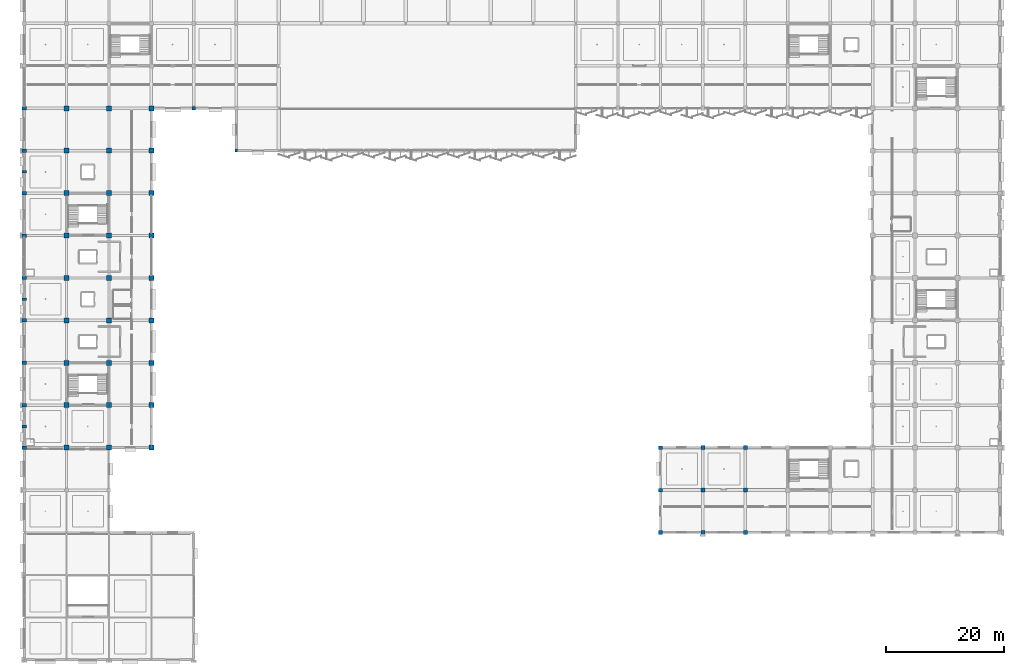
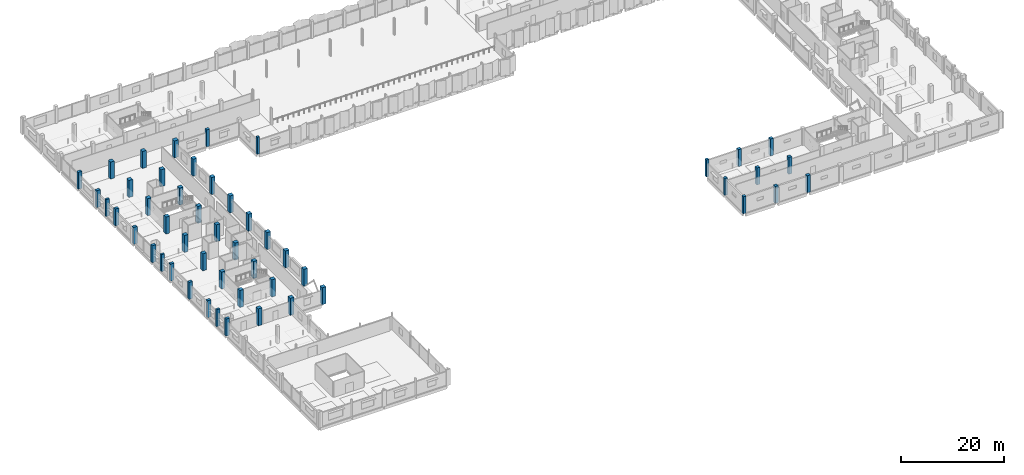
# One storey, part 5 of 107: 50 columns.
"""IFC4 building model written with IfcOpenShell, lengths in metres."""

from ifc_helpers import new_model, si_unit, direction, frame, origin, origin_2d, place, context, subcontext, project, spatial, rectangle, extrude, material, material_profile, profile_set, type_object, element, save


model = new_model("IFC4")

# Units and contexts
model_context = context("Model", 3, precision=1e-05, world=origin(), true_north=direction((0.0, 1.0)))
body_context = subcontext(model_context, "Body", "Model", "MODEL_VIEW")
ifc_project = project(units=[si_unit("LENGTHUNIT", "METRE"), si_unit("AREAUNIT", "SQUARE_METRE"), si_unit("VOLUMEUNIT", "CUBIC_METRE"), si_unit("PLANEANGLEUNIT", "RADIAN"), si_unit("MASSUNIT", "GRAM", prefix="KILO")], contexts=[model_context])

# Site, building, storey
site_placement = place(None, origin())
site = spatial("IfcSite", under=ifc_project, at=site_placement, CompositionType="ELEMENT")
building_placement = place(site_placement, origin())
building = spatial("IfcBuilding", under=site, at=building_placement, Name="Kangsadwip Square Police Headquarters", CompositionType="ELEMENT")
storey_placement = place(building_placement, frame((0.0, 0.0, 5.39990234375)))
storey = spatial("IfcBuildingStorey", under=building, at=storey_placement, Name="L01", CompositionType="ELEMENT", Elevation=5.39990234375)

# Columns
ifc_material_1 = material(Name="Concrete M35 (35 MPa)", Category="concrete")
ifc_material_profile_1 = material_profile(ifc_material_1, rectangle(XDim=0.5, YDim=0.5, at=origin_2d()), Name="RC COL 500X500")
ifc_profile_set_1 = profile_set([ifc_material_profile_1], Name="Concrete M35 (35 MPa)")
column_type_1 = type_object("IfcColumnType", Name="RcCol500x500", PredefinedType="COLUMN", material=ifc_profile_set_1)
column_1_placement = place(storey_placement, frame((36.0, 86.39990234375, 0.0), z_axis=(0.0, 0.0, 1.0), x_axis=(1.0, 0.0, 0.0)))
element("IfcColumn", 1, at=column_1_placement, inside=storey, type_object=column_type_1, Name="Column COL-L01-05-12", PredefinedType="COLUMN", context=body_context, shape_type="SweptSolid", body=[
    extrude(rectangle(XDim=0.5, YDim=0.5, at=origin_2d()), origin(), (0.0, 0.0, 1.0), 4.050048828125),
])
ifc_material_2 = material(Name="Concrete M35 (35 MPa)", Category="concrete")
ifc_material_profile_2 = material_profile(ifc_material_2, rectangle(XDim=0.60009765625, YDim=0.60009765625, at=origin_2d()), Name="RC COL 600X600")
ifc_profile_set_2 = profile_set([ifc_material_profile_2], Name="Concrete M35 (35 MPa)")
column_type_2 = type_object("IfcColumnType", Name="RcCol600x600", PredefinedType="COLUMN", material=ifc_profile_set_2)
for number, where, z_axis, x_axis, name in (
    (2, (108.0, 21.60009765625, 0.0), (0.0, 0.0, 1.0), (1.0, 0.0, 0.0), "Column COL-L01-15-03"),
    (3, (108.0, 28.800048828125, 0.0), (0.0, 0.0, 1.0), (1.0, 0.0, 0.0), "Column COL-L01-15-04"),
    (4, (108.0, 36.0, 0.0), (0.0, 0.0, 1.0), (1.0, 0.0, 0.0), "Column COL-L01-15-05"),
):
    element("IfcColumn", number, at=place(storey_placement, frame(where, z_axis=z_axis, x_axis=x_axis)), inside=storey, type_object=column_type_2, Name=name, PredefinedType="COLUMN", context=body_context, shape_type="SweptSolid", body=[
        extrude(rectangle(XDim=0.60009765625, YDim=0.60009765625, at=origin_2d()), origin(), (0.0, 0.0, 1.0), 4.050048828125),
    ])
ifc_material_3 = material(Name="Concrete M40 (40 MPa)", Category="concrete")
ifc_material_profile_3 = material_profile(ifc_material_3, rectangle(XDim=0.64990234375, YDim=0.64990234375, at=origin_2d()), Name="RC COL 650X650")
ifc_profile_set_3 = profile_set([ifc_material_profile_3], Name="Concrete M40 (40 MPa)")
column_type_3 = type_object("IfcColumnType", Name="RcCol650x650", PredefinedType="COLUMN", material=ifc_profile_set_3)
column_2_placement = place(storey_placement, frame((28.800048828125, 93.60009765625, 0.0), z_axis=(0.0, 0.0, 1.0), x_axis=(1.0, 0.0, 0.0)))
element("IfcColumn", 5, at=column_2_placement, inside=storey, type_object=column_type_3, Name="Column COL-L01-04-13", PredefinedType="COLUMN", context=body_context, shape_type="SweptSolid", body=[
    extrude(rectangle(XDim=0.64990234375, YDim=0.64990234375, at=origin_2d()), origin(), (0.0, 0.0, 1.0), 4.050048828125),
])
ifc_material_4 = material(Name="Concrete M40 (40 MPa)", Category="concrete")
ifc_material_profile_4 = material_profile(ifc_material_4, rectangle(XDim=0.699951171875, YDim=0.699951171875, at=origin_2d()), Name="RC COL 700X700")
ifc_profile_set_4 = profile_set([ifc_material_profile_4], Name="Concrete M40 (40 MPa)")
column_type_4 = type_object("IfcColumnType", Name="RcCol700x700", PredefinedType="COLUMN", material=ifc_profile_set_4)
for number, where, z_axis, x_axis, name in (
    (6, (115.199951171875, 21.60009765625, 0.0), (0.0, 0.0, 1.0), (1.0, 0.0, 0.0), "Column COL-L01-16-03"),
    (7, (115.199951171875, 28.800048828125, 0.0), (0.0, 0.0, 1.0), (1.0, 0.0, 0.0), "Column COL-L01-16-04"),
    (8, (115.199951171875, 36.0, 0.0), (0.0, 0.0, 1.0), (1.0, 0.0, 0.0), "Column COL-L01-16-05"),
    (9, (122.39990234375, 21.60009765625, 0.0), (0.0, 0.0, 1.0), (1.0, 0.0, 0.0), "Column COL-L01-17-03"),
    (10, (122.39990234375, 28.800048828125, 0.0), (0.0, 0.0, 1.0), (1.0, 0.0, 0.0), "Column COL-L01-17-04"),
    (11, (122.39990234375, 36.0, 0.0), (0.0, 0.0, 1.0), (1.0, 0.0, 0.0), "Column COL-L01-17-05"),
):
    element("IfcColumn", number, at=place(storey_placement, frame(where, z_axis=z_axis, x_axis=x_axis)), inside=storey, type_object=column_type_4, Name=name, PredefinedType="COLUMN", context=body_context, shape_type="SweptSolid", body=[
        extrude(rectangle(XDim=0.699951171875, YDim=0.699951171875, at=origin_2d()), origin(), (0.0, 0.0, 1.0), 4.050048828125),
    ])
ifc_material_5 = material(Name="Concrete M40 (40 MPa)", Category="concrete")
ifc_material_profile_5 = material_profile(ifc_material_5, rectangle(XDim=0.60009765625, YDim=0.800048828125, at=origin_2d()), Name="RC COL 800X600")
ifc_profile_set_5 = profile_set([ifc_material_profile_5], Name="Concrete M40 (40 MPa)")
column_type_5 = type_object("IfcColumnType", Name="RcCol800x600", PredefinedType="COLUMN", material=ifc_profile_set_5)
for number, where, z_axis, x_axis, name in (
    (12, (0.0, 36.0, 0.0), (0.0, 0.0, 1.0), (0.0, 1.0, 0.0), "Column COL-L01-00-05"),
    (13, (0.0, 43.199951171875, 0.0), (0.0, 0.0, 1.0), (0.0, 1.0, 0.0), "Column COL-L01-00-06"),
    (14, (0.0, 50.39990234375, 0.0), (0.0, 0.0, 1.0), (0.0, 1.0, 0.0), "Column COL-L01-00-07"),
    (15, (0.0, 57.60009765625, 0.0), (0.0, 0.0, 1.0), (0.0, 1.0, 0.0), "Column COL-L01-00-08"),
    (16, (0.0, 64.800048828125, 0.0), (0.0, 0.0, 1.0), (0.0, 1.0, 0.0), "Column COL-L01-00-09"),
    (17, (0.0, 72.0, 0.0), (0.0, 0.0, 1.0), (0.0, 1.0, 0.0), "Column COL-L01-00-10"),
    (18, (0.0, 79.199951171875, 0.0), (0.0, 0.0, 1.0), (0.0, 1.0, 0.0), "Column COL-L01-00-11"),
    (19, (0.0, 86.39990234375, 0.0), (0.0, 0.0, 1.0), (0.0, 1.0, 0.0), "Column COL-L01-00-12"),
    (20, (0.0, 93.60009765625, 0.0), (0.0, 0.0, 1.0), (0.0, 1.0, 0.0), "Column COL-L01-00-13"),
):
    element("IfcColumn", number, at=place(storey_placement, frame(where, z_axis=z_axis, x_axis=x_axis)), inside=storey, type_object=column_type_5, Name=name, PredefinedType="COLUMN", context=body_context, shape_type="SweptSolid", body=[
        extrude(rectangle(XDim=0.60009765625, YDim=0.800048828125, at=origin_2d()), origin(), (0.0, 0.0, 1.0), 4.050048828125),
    ])
ifc_material_6 = material(Name="Concrete M40 (40 MPa)", Category="concrete")
ifc_material_profile_6 = material_profile(ifc_material_6, rectangle(XDim=0.85009765625, YDim=0.85009765625, at=origin_2d()), Name="RC COL 850X850")
ifc_profile_set_6 = profile_set([ifc_material_profile_6], Name="Concrete M40 (40 MPa)")
column_type_6 = type_object("IfcColumnType", Name="RcCol850x850", PredefinedType="COLUMN", material=ifc_profile_set_6)
for number, where, z_axis, x_axis, name in (
    (21, (7.199951171875, 36.0, 0.0), (0.0, 0.0, 1.0), (1.0, 0.0, 0.0), "Column COL-L01-01-05"),
    (22, (7.199951171875, 43.199951171875, 0.0), (0.0, 0.0, 1.0), (1.0, 0.0, 0.0), "Column COL-L01-01-06"),
    (23, (7.199951171875, 50.39990234375, 0.0), (0.0, 0.0, 1.0), (1.0, 0.0, 0.0), "Column COL-L01-01-07"),
    (24, (7.199951171875, 57.60009765625, 0.0), (0.0, 0.0, 1.0), (1.0, 0.0, 0.0), "Column COL-L01-01-08"),
    (25, (7.199951171875, 64.800048828125, 0.0), (0.0, 0.0, 1.0), (1.0, 0.0, 0.0), "Column COL-L01-01-09"),
    (26, (7.199951171875, 72.0, 0.0), (0.0, 0.0, 1.0), (1.0, 0.0, 0.0), "Column COL-L01-01-10"),
    (27, (7.199951171875, 79.199951171875, 0.0), (0.0, 0.0, 1.0), (1.0, 0.0, 0.0), "Column COL-L01-01-11"),
    (28, (7.199951171875, 86.39990234375, 0.0), (0.0, 0.0, 1.0), (1.0, 0.0, 0.0), "Column COL-L01-01-12"),
    (29, (7.199951171875, 93.60009765625, 0.0), (0.0, 0.0, 1.0), (1.0, 0.0, 0.0), "Column COL-L01-01-13"),
    (30, (14.39990234375, 36.0, 0.0), (0.0, 0.0, 1.0), (1.0, 0.0, 0.0), "Column COL-L01-02-05"),
    (31, (14.39990234375, 43.199951171875, 0.0), (0.0, 0.0, 1.0), (1.0, 0.0, 0.0), "Column COL-L01-02-06"),
    (32, (14.39990234375, 50.39990234375, 0.0), (0.0, 0.0, 1.0), (1.0, 0.0, 0.0), "Column COL-L01-02-07"),
    (33, (14.39990234375, 57.60009765625, 0.0), (0.0, 0.0, 1.0), (1.0, 0.0, 0.0), "Column COL-L01-02-08"),
    (34, (14.39990234375, 64.800048828125, 0.0), (0.0, 0.0, 1.0), (1.0, 0.0, 0.0), "Column COL-L01-02-09"),
    (35, (14.39990234375, 72.0, 0.0), (0.0, 0.0, 1.0), (1.0, 0.0, 0.0), "Column COL-L01-02-10"),
    (36, (14.39990234375, 79.199951171875, 0.0), (0.0, 0.0, 1.0), (1.0, 0.0, 0.0), "Column COL-L01-02-11"),
    (37, (14.39990234375, 86.39990234375, 0.0), (0.0, 0.0, 1.0), (1.0, 0.0, 0.0), "Column COL-L01-02-12"),
    (38, (14.39990234375, 93.60009765625, 0.0), (0.0, 0.0, 1.0), (1.0, 0.0, 0.0), "Column COL-L01-02-13"),
    (39, (21.60009765625, 36.0, 0.0), (0.0, 0.0, 1.0), (1.0, 0.0, 0.0), "Column COL-L01-03-05"),
    (40, (21.60009765625, 43.199951171875, 0.0), (0.0, 0.0, 1.0), (1.0, 0.0, 0.0), "Column COL-L01-03-06"),
    (41, (21.60009765625, 50.39990234375, 0.0), (0.0, 0.0, 1.0), (1.0, 0.0, 0.0), "Column COL-L01-03-07"),
    (42, (21.60009765625, 57.60009765625, 0.0), (0.0, 0.0, 1.0), (1.0, 0.0, 0.0), "Column COL-L01-03-08"),
    (43, (21.60009765625, 64.800048828125, 0.0), (0.0, 0.0, 1.0), (1.0, 0.0, 0.0), "Column COL-L01-03-09"),
    (44, (21.60009765625, 72.0, 0.0), (0.0, 0.0, 1.0), (1.0, 0.0, 0.0), "Column COL-L01-03-10"),
    (45, (21.60009765625, 79.199951171875, 0.0), (0.0, 0.0, 1.0), (1.0, 0.0, 0.0), "Column COL-L01-03-11"),
    (46, (21.60009765625, 86.39990234375, 0.0), (0.0, 0.0, 1.0), (1.0, 0.0, 0.0), "Column COL-L01-03-12"),
    (47, (21.60009765625, 93.60009765625, 0.0), (0.0, 0.0, 1.0), (1.0, 0.0, 0.0), "Column COL-L01-03-13"),
):
    element("IfcColumn", number, at=place(storey_placement, frame(where, z_axis=z_axis, x_axis=x_axis)), inside=storey, type_object=column_type_6, Name=name, PredefinedType="COLUMN", context=body_context, shape_type="SweptSolid", body=[
        extrude(rectangle(XDim=0.85009765625, YDim=0.85009765625, at=origin_2d()), origin(), (0.0, 0.0, 1.0), 4.050048828125),
    ])
ifc_material_7 = material(Name="Concrete M40 (40 MPa)", Category="concrete")
ifc_material_profile_7 = material_profile(ifc_material_7, rectangle(XDim=0.449951171875, YDim=0.75, at=origin_2d()), Name="RC PIL 750X450")
ifc_profile_set_7 = profile_set([ifc_material_profile_7], Name="Concrete M40 (40 MPa)")
column_type_7 = type_object("IfcColumnType", Name="RcPil750x450", PredefinedType="PILASTER", material=ifc_profile_set_7)
for number, where, z_axis, x_axis, name in (
    (48, (0.0, 39.60009765625, 0.0), (0.0, 0.0, 1.0), (0.0, 1.0, 0.0), "Colonnade Pilaster PIL-L01-003"),
    (49, (0.0, 61.199951171875, 0.0), (0.0, 0.0, 1.0), (0.0, 1.0, 0.0), "Colonnade Pilaster PIL-L01-012"),
    (50, (0.0, 82.800048828125, 0.0), (0.0, 0.0, 1.0), (0.0, 1.0, 0.0), "Colonnade Pilaster PIL-L01-021"),
):
    element("IfcColumn", number, at=place(storey_placement, frame(where, z_axis=z_axis, x_axis=x_axis)), inside=storey, type_object=column_type_7, Name=name, PredefinedType="PILASTER", context=body_context, shape_type="SweptSolid", body=[
        extrude(rectangle(XDim=0.449951171875, YDim=0.75, at=origin_2d()), origin(), (0.0, 0.0, 1.0), 4.050048828125),
    ])

save(model, "model.ifc")
